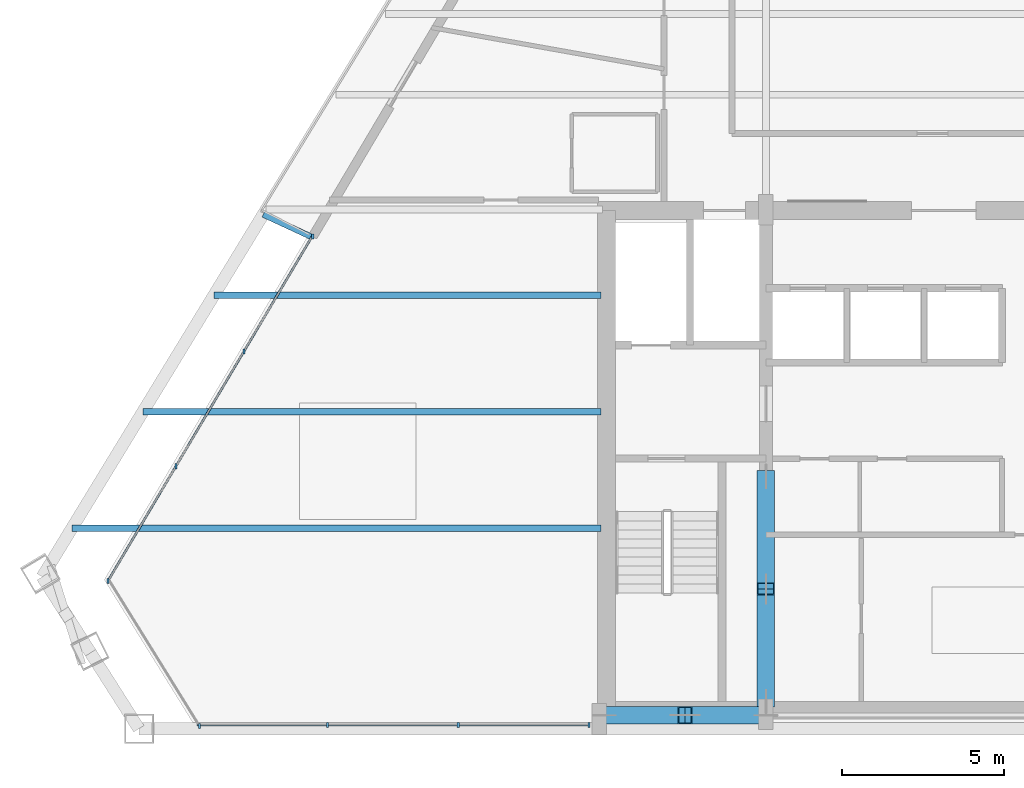
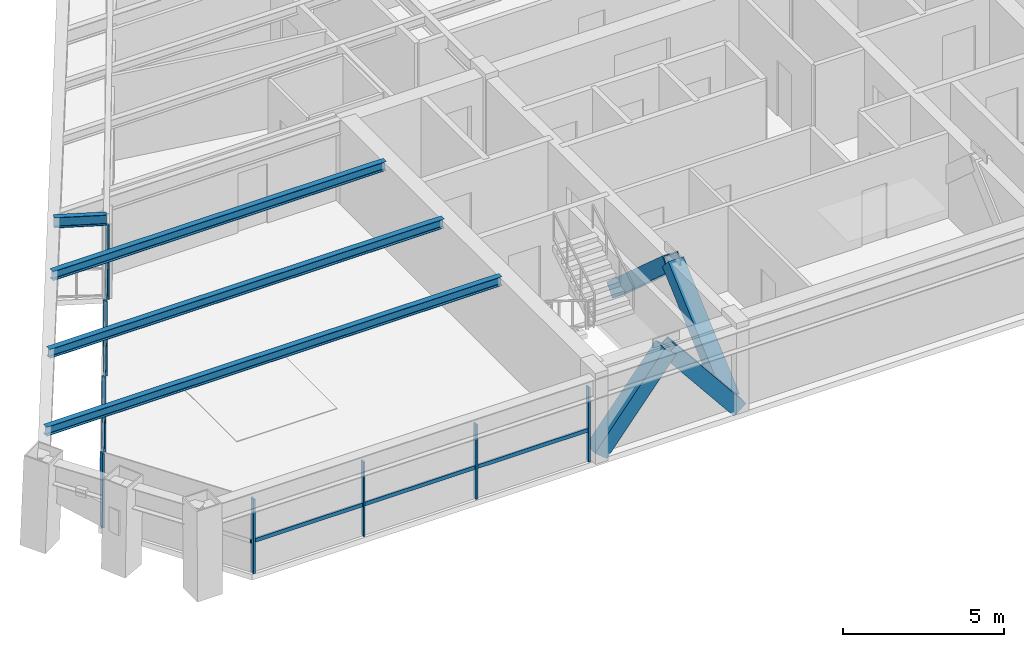
# One storey, part 2 of 12: 18 members, 4 beams, 3 elements without a shape of their own.
"""IFC4 building model written with IfcOpenShell, lengths in metres."""

from ifc_helpers import new_model, si_unit, direction, frame, origin, origin_2d, place, context, subcontext, project, spatial, rectangle, hollow_rectangle, i_section, extrude, source, transform, mapped, material, material_profile, profile_set, type_object, type_shapes, element, aggregate, save


model = new_model("IFC4")

# Units and contexts
model_context = context("Model", 3, precision=1e-05, world=origin(), true_north=direction((0.0, 1.0)))
body_context = subcontext(model_context, "Body", "Model", "MODEL_VIEW")
ifc_project = project(units=[si_unit("LENGTHUNIT", "METRE"), si_unit("AREAUNIT", "SQUARE_METRE"), si_unit("VOLUMEUNIT", "CUBIC_METRE"), si_unit("PLANEANGLEUNIT", "RADIAN"), si_unit("MASSUNIT", "GRAM", prefix="KILO")], contexts=[model_context])

# Site, building, storey
site_placement = place(None, origin())
site = spatial("IfcSite", under=ifc_project, at=site_placement, CompositionType="ELEMENT")
building_placement = place(site_placement, origin())
building = spatial("IfcBuilding", under=site, at=building_placement, Name="Varnakhor Terracotta Tower", CompositionType="ELEMENT")
storey_placement = place(building_placement, frame((0.0, 0.0, 233.800048828125)))
storey = spatial("IfcBuildingStorey", under=building, at=storey_placement, Name="L60", CompositionType="ELEMENT", Elevation=233.800048828125)

# Members
ifc_material_1 = material(Name="Steel S355", Category="steel")
ifc_material_profile_1 = material_profile(ifc_material_1, hollow_rectangle(XDim=0.550048828125, YDim=0.550048828125, WallThickness=0.034912109375, at=origin_2d()), Name="HSS550X550X35")
ifc_profile_set_1 = profile_set([ifc_material_profile_1], Name="Steel S355")
member_type_1 = type_object("IfcMemberType", Name="MBR-MEGA-550", PredefinedType="BRACE", material=ifc_profile_set_1)
shared_shape_1 = source(origin(), body_context, "Body", "SweptSolid", [
    extrude(hollow_rectangle(XDim=0.550048828125, YDim=0.550048828125, WallThickness=0.034912109375, at=origin_2d()), origin(), (0.0, 0.0, 1.0), 4.650146484375),
])
member_1_placement = place(storey_placement, frame((-5.5, 7.800048828125, 0.0), z_axis=(0.0, -0.747316617832, 0.664468112638), x_axis=(1.0, 0.0, 0.0)))
element("IfcMember", 1, at=member_1_placement, inside=storey, type_object=member_type_1, Name="L60 Core Coupled Brace CWWB", PredefinedType="BRACE", context=body_context, shape_type="MappedRepresentation", body=[
    mapped(shared_shape_1, transform((0.0, 0.0, 0.0), scale=1.0)),
])
shared_shape_2 = source(origin(), body_context, "Body", "SweptSolid", [
    extrude(hollow_rectangle(XDim=0.550048828125, YDim=0.550048828125, WallThickness=0.034912109375, at=origin_2d()), origin(), (0.0, 0.0, 1.0), 3.974609375),
])
for number, where, z_axis, x_axis, name in (
    (2, (-10.5, 0.419921875, 0.0), (0.629000299358, 0.0, 0.777405057488), (0.0, 1.0, 0.0), "L60 Core Coupled Brace CSWA"),
    (3, (-5.5, 0.419921875, 0.0), (-0.629000299358, 0.0, 0.777405057488), (0.0, -1.0, 0.0), "L60 Core Coupled Brace CSWB"),
):
    element("IfcMember", number, at=place(storey_placement, frame(where, z_axis=z_axis, x_axis=x_axis)), inside=storey, type_object=member_type_1, Name=name, PredefinedType="BRACE", context=body_context, shape_type="MappedRepresentation", body=[
        mapped(shared_shape_2, transform((0.0, 0.0, 0.0), scale=1.0)),
    ])
shared_shape_3 = source(origin(), body_context, "Body", "SweptSolid", [
    extrude(hollow_rectangle(XDim=0.550048828125, YDim=0.550048828125, WallThickness=0.034912109375, at=origin_2d()), origin(), (0.0, 0.0, 1.0), 4.64990234375),
])
member_2_placement = place(storey_placement, frame((-5.5, 0.85009765625, 0.0), z_axis=(0.0, 0.747293435799, 0.664494184182), x_axis=(-1.0, 0.0, 0.0)))
element("IfcMember", 4, at=member_2_placement, inside=storey, type_object=member_type_1, Name="L60 Core Coupled Brace CWWA", PredefinedType="BRACE", context=body_context, shape_type="MappedRepresentation", body=[
    mapped(shared_shape_3, transform((0.0, 0.0, 0.0), scale=1.0)),
])

# Beams
ifc_material_profile_2 = material_profile(ifc_material_1, i_section(OverallWidth=0.202880859375, OverallDepth=0.346923828125, WebThickness=0.0078125, FlangeThickness=0.013427734375, FilletRadius=0.01806640625, at=origin_2d()), Name="W14X43")
ifc_profile_set_2 = profile_set([ifc_material_profile_2], Name="Steel S355")
beam_type_1 = type_object("IfcBeamType", Name="JST-W14X43", PredefinedType="JOIST", material=ifc_profile_set_2)
shared_shape_4 = source(origin(), body_context, "Body", "SweptSolid", [
    extrude(i_section(OverallWidth=0.202880859375, OverallDepth=0.346923828125, WebThickness=0.0078125, FlangeThickness=0.013427734375, FilletRadius=0.01806640625, at=origin_2d()), origin(), (0.0, 0.0, 1.0), 16.356689453125),
])
beam_1_placement = place(storey_placement, frame((-26.956787109375, 6.199951171875, 3.06640625), z_axis=(1.0, 0.0, 0.0), x_axis=(0.0, 1.0, 0.0)))
element("IfcBeam", 5, at=beam_1_placement, inside=storey, type_object=beam_type_1, Name="L60 Floor Joist W1", PredefinedType="JOIST", context=body_context, shape_type="MappedRepresentation", body=[
    mapped(shared_shape_4, transform((0.0, 0.0, 0.0), scale=1.0)),
])
shared_shape_5 = source(origin(), body_context, "Body", "SweptSolid", [
    extrude(i_section(OverallWidth=0.202880859375, OverallDepth=0.346923828125, WebThickness=0.0078125, FlangeThickness=0.013427734375, FilletRadius=0.01806640625, at=origin_2d()), origin(), (0.0, 0.0, 1.0), 14.161865234375),
])
beam_2_placement = place(storey_placement, frame((-24.761962890625, 9.800048828125, 3.06640625), z_axis=(1.0, 0.0, 0.0), x_axis=(0.0, 1.0, 0.0)))
element("IfcBeam", 6, at=beam_2_placement, inside=storey, type_object=beam_type_1, Name="L60 Floor Joist W2", PredefinedType="JOIST", context=body_context, shape_type="MappedRepresentation", body=[
    mapped(shared_shape_5, transform((0.0, 0.0, 0.0), scale=1.0)),
])
shared_shape_6 = source(origin(), body_context, "Body", "SweptSolid", [
    extrude(i_section(OverallWidth=0.202880859375, OverallDepth=0.346923828125, WebThickness=0.0078125, FlangeThickness=0.013427734375, FilletRadius=0.01806640625, at=origin_2d()), origin(), (0.0, 0.0, 1.0), 11.966796875),
])
beam_3_placement = place(storey_placement, frame((-22.56689453125, 13.39990234375, 3.06640625), z_axis=(1.0, 0.0, 0.0), x_axis=(0.0, 1.0, 0.0)))
element("IfcBeam", 7, at=beam_3_placement, inside=storey, type_object=beam_type_1, Name="L60 Floor Joist W3", PredefinedType="JOIST", context=body_context, shape_type="MappedRepresentation", body=[
    mapped(shared_shape_6, transform((0.0, 0.0, 0.0), scale=1.0)),
])

# Curtain wall, members
ifc_material_2 = material(Name="Anodised Aluminium Curtain Wall System", Category="aluminium")
curtain_wall_type = type_object("IfcCurtainWallType", Name="CW-SYS-HOTEL-LOGGIA", PredefinedType="NOTDEFINED", material=ifc_material_2)
curtain_wall_1_placement = place(storey_placement, origin())
curtain_wall_1 = element("IfcCurtainWall", 8, at=curtain_wall_1_placement, inside=storey, type_object=curtain_wall_type, Name="L60 W Facet Curtain Wall 1", PredefinedType="NOTDEFINED")
ifc_material_3 = material(Name="Anodised Aluminium 6063-T6", Category="aluminium")
ifc_material_profile_3 = material_profile(ifc_material_3, rectangle(XDim=0.06494140625, YDim=0.159912109375, at=origin_2d()), Name="ALU MULLION 65x160")
ifc_profile_set_3 = profile_set([ifc_material_profile_3], Name="Anodised Aluminium 6063-T6")
member_type_2 = type_object("IfcMemberType", Name="CWM-04", PredefinedType="MULLION", material=ifc_profile_set_3)
shared_shape_7 = source(origin(), body_context, "Body", "SweptSolid", [
    extrude(rectangle(XDim=0.06494140625, YDim=0.159912109375, at=origin_2d()), origin(), (0.0, 0.0, 1.0), 2.820068359375),
])
type_shapes(member_type_2, [shared_shape_7])
member_3_placement = place(storey_placement, frame((-25.840087890625, 4.57275390625, 0.0), z_axis=(0.0, 0.0, 1.0), x_axis=(1.0, 0.0, 0.0)))
member_3 = element("IfcMember", 9, at=member_3_placement, type_object=member_type_2, Name="L60 W Facet Curtain Wall 1 Mullion 1", PredefinedType="MULLION", context=body_context, shape_type="MappedRepresentation", body=[
    mapped(shared_shape_7, transform((0.0, 0.0, 0.0), scale=1.0)),
])
member_4_placement = place(storey_placement, frame((-23.740478515625, 8.1162109375, 0.0), z_axis=(0.0, 0.0, 1.0), x_axis=(1.0, 0.0, 0.0)))
member_4 = element("IfcMember", 10, at=member_4_placement, type_object=member_type_2, Name="L60 W Facet Curtain Wall 1 Mullion 2", PredefinedType="MULLION", context=body_context, shape_type="MappedRepresentation", body=[
    mapped(shared_shape_7, transform((0.0, 0.0, 0.0), scale=1.0)),
])
member_5_placement = place(storey_placement, frame((-21.64111328125, 11.65966796875, 0.0), z_axis=(0.0, 0.0, 1.0), x_axis=(1.0, 0.0, 0.0)))
member_5 = element("IfcMember", 11, at=member_5_placement, type_object=member_type_2, Name="L60 W Facet Curtain Wall 1 Mullion 3", PredefinedType="MULLION", context=body_context, shape_type="MappedRepresentation", body=[
    mapped(shared_shape_7, transform((0.0, 0.0, 0.0), scale=1.0)),
])
member_6_placement = place(storey_placement, frame((-19.509033203125, 15.21875, 0.0), z_axis=(0.0, 0.0, 1.0), x_axis=(1.0, 0.0, 0.0)))
member_6 = element("IfcMember", 12, at=member_6_placement, type_object=member_type_2, Name="L60 W Loggia Jamb Closure Mullion 1", PredefinedType="MULLION", context=body_context, shape_type="MappedRepresentation", body=[
    mapped(shared_shape_7, transform((0.0, 0.0, 0.0), scale=1.0)),
])

curtain_wall_2_placement = place(storey_placement, origin())
curtain_wall_2 = element("IfcCurtainWall", 13, at=curtain_wall_2_placement, inside=storey, type_object=curtain_wall_type, Name="L60 South Wing Curtain Wall SSW", PredefinedType="NOTDEFINED")
member_7_placement = place(storey_placement, frame((-10.969970703125, 0.1201171875, 0.0), z_axis=(0.0, 0.0, 1.0), x_axis=(1.0, 0.0, 0.0)))
member_7 = element("IfcMember", 14, at=member_7_placement, type_object=member_type_2, Name="L60 South Wing Curtain Wall SSW Mullion 1", PredefinedType="MULLION", context=body_context, shape_type="MappedRepresentation", body=[
    mapped(shared_shape_7, transform((0.0, 0.0, 0.0), scale=1.0)),
])
member_8_placement = place(storey_placement, frame((-15.010498046875, 0.1201171875, 0.0), z_axis=(0.0, 0.0, 1.0), x_axis=(1.0, 0.0, 0.0)))
member_8 = element("IfcMember", 15, at=member_8_placement, type_object=member_type_2, Name="L60 South Wing Curtain Wall SSW Mullion 2", PredefinedType="MULLION", context=body_context, shape_type="MappedRepresentation", body=[
    mapped(shared_shape_7, transform((0.0, 0.0, 0.0), scale=1.0)),
])
member_9_placement = place(storey_placement, frame((-19.051025390625, 0.1201171875, 0.0), z_axis=(0.0, 0.0, 1.0), x_axis=(1.0, 0.0, 0.0)))
member_9 = element("IfcMember", 16, at=member_9_placement, type_object=member_type_2, Name="L60 South Wing Curtain Wall SSW Mullion 3", PredefinedType="MULLION", context=body_context, shape_type="MappedRepresentation", body=[
    mapped(shared_shape_7, transform((0.0, 0.0, 0.0), scale=1.0)),
])

# Curtain wall, member
curtain_wall_3_placement = place(storey_placement, origin())
curtain_wall_3 = element("IfcCurtainWall", 17, at=curtain_wall_3_placement, inside=storey, type_object=curtain_wall_type, Name="L60 Facet Curtain Wall 6", PredefinedType="NOTDEFINED")
member_10_placement = place(storey_placement, frame((-23.015380859375, 0.088623046875, 0.0), z_axis=(0.0, 0.0, 1.0), x_axis=(1.0, 0.0, 0.0)))
member_10 = element("IfcMember", 18, at=member_10_placement, type_object=member_type_2, Name="L60 Facet Curtain Wall 6 Mullion 1", PredefinedType="MULLION", context=body_context, shape_type="MappedRepresentation", body=[
    mapped(shared_shape_7, transform((0.0, 0.0, 0.0), scale=1.0)),
])
aggregate(curtain_wall_3, [member_10])

# Member
ifc_material_profile_4 = material_profile(ifc_material_3, rectangle(XDim=0.06494140625, YDim=0.14501953125, at=origin_2d()), Name="ALU TRANSOM 65x145")
ifc_profile_set_4 = profile_set([ifc_material_profile_4], Name="Anodised Aluminium 6063-T6")
member_type_3 = type_object("IfcMemberType", Name="CWT-04", PredefinedType="USERDEFINED", material=ifc_profile_set_4)
shared_shape_8 = source(origin(), body_context, "Body", "SweptSolid", [
    extrude(rectangle(XDim=0.06494140625, YDim=0.14501953125, at=origin_2d()), origin(), (0.0, 0.0, 1.0), 4.118896484375),
])
member_11_placement = place(storey_placement, frame((-25.840087890625, 4.57275390625, 1.184326171875), z_axis=(0.509763394774, 0.860314640901, 0.0), x_axis=(-0.860314640901, 0.509763394774, 0.0)))
member_11 = element("IfcMember", 19, at=member_11_placement, type_object=member_type_3, Name="L60 W Facet Curtain Wall 1 Transom 1", ObjectType="TRANSOM", PredefinedType="USERDEFINED", context=body_context, shape_type="MappedRepresentation", body=[
    mapped(shared_shape_8, transform((0.0, 0.0, 0.0), scale=1.0)),
])

member_12_placement = place(storey_placement, frame((-21.64111328125, 11.65966796875, 1.184326171875), z_axis=(0.509763394774, 0.860314640901, 0.0), x_axis=(-0.860314640901, 0.509763394774, 0.0)))
member_12 = element("IfcMember", 20, at=member_12_placement, type_object=member_type_3, Name="L60 W Facet Curtain Wall 1 Transom 3", ObjectType="TRANSOM", PredefinedType="USERDEFINED", context=body_context, shape_type="MappedRepresentation", body=[
    mapped(shared_shape_8, transform((0.0, 0.0, 0.0), scale=1.0)),
])

shared_shape_9 = source(origin(), body_context, "Body", "SweptSolid", [
    extrude(rectangle(XDim=0.06494140625, YDim=0.14501953125, at=origin_2d()), origin(), (0.0, 0.0, 1.0), 4.11865234375),
])
member_13_placement = place(storey_placement, frame((-23.740478515625, 8.1162109375, 1.184326171875), z_axis=(0.509719521049, 0.860340635947, 0.0), x_axis=(-0.860340635947, 0.509719521049, 0.0)))
member_13 = element("IfcMember", 21, at=member_13_placement, type_object=member_type_3, Name="L60 W Facet Curtain Wall 1 Transom 2", ObjectType="TRANSOM", PredefinedType="USERDEFINED", context=body_context, shape_type="MappedRepresentation", body=[
    mapped(shared_shape_9, transform((0.0, 0.0, 0.0), scale=1.0)),
])

aggregate(curtain_wall_1, [member_3, member_11, member_4, member_13, member_5, member_12, member_6])

shared_shape_10 = source(origin(), body_context, "Body", "SweptSolid", [
    extrude(rectangle(XDim=0.06494140625, YDim=0.14501953125, at=origin_2d()), origin(), (0.0, 0.0, 1.0), 4.04052734375),
])
member_14_placement = place(storey_placement, frame((-10.969970703125, 0.1201171875, 1.184326171875), z_axis=(-1.0, 0.0, 0.0), x_axis=(0.0, -1.0, 0.0)))
member_14 = element("IfcMember", 22, at=member_14_placement, type_object=member_type_3, Name="L60 South Wing Curtain Wall SSW Transom 1", ObjectType="TRANSOM", PredefinedType="USERDEFINED", context=body_context, shape_type="MappedRepresentation", body=[
    mapped(shared_shape_10, transform((0.0, 0.0, 0.0), scale=1.0)),
])

member_15_placement = place(storey_placement, frame((-15.010498046875, 0.1201171875, 1.184326171875), z_axis=(-1.0, 0.0, 0.0), x_axis=(0.0, -1.0, 0.0)))
member_15 = element("IfcMember", 23, at=member_15_placement, type_object=member_type_3, Name="L60 South Wing Curtain Wall SSW Transom 2", ObjectType="TRANSOM", PredefinedType="USERDEFINED", context=body_context, shape_type="MappedRepresentation", body=[
    mapped(shared_shape_10, transform((0.0, 0.0, 0.0), scale=1.0)),
])

shared_shape_11 = source(origin(), body_context, "Body", "SweptSolid", [
    extrude(rectangle(XDim=0.06494140625, YDim=0.14501953125, at=origin_2d()), origin(), (0.0, 0.0, 1.0), 4.040771484375),
])
member_16_placement = place(storey_placement, frame((-19.051025390625, 0.1201171875, 1.184326171875), z_axis=(-1.0, 0.0, 0.0), x_axis=(0.0, -1.0, 0.0)))
member_16 = element("IfcMember", 24, at=member_16_placement, type_object=member_type_3, Name="L60 South Wing Curtain Wall SSW Transom 3", ObjectType="TRANSOM", PredefinedType="USERDEFINED", context=body_context, shape_type="MappedRepresentation", body=[
    mapped(shared_shape_11, transform((0.0, 0.0, 0.0), scale=1.0)),
])

aggregate(curtain_wall_2, [member_7, member_14, member_8, member_15, member_9, member_16])

# Beam
ifc_material_profile_5 = material_profile(ifc_material_1, i_section(OverallWidth=0.179931640625, OverallDepth=0.39990234375, WebThickness=0.008544921875, FlangeThickness=0.013427734375, FilletRadius=0.01806640625, at=origin_2d()), Name="IPE400")
ifc_profile_set_5 = profile_set([ifc_material_profile_5], Name="Steel S355")
beam_type_2 = type_object("IfcBeamType", Name="JST-IPE400", PredefinedType="JOIST", material=ifc_profile_set_5)
shared_shape_12 = source(origin(), body_context, "Body", "SweptSolid", [
    extrude(i_section(OverallWidth=0.179931640625, OverallDepth=0.39990234375, WebThickness=0.008544921875, FlangeThickness=0.013427734375, FilletRadius=0.01806640625, at=origin_2d()), origin(), (0.0, 0.0, 1.0), 1.644287109375),
])
beam_4_placement = place(storey_placement, frame((-19.55078125, 15.208740234375, 3.0400390625), z_axis=(-0.906944141047, 0.421250905067, 0.0), x_axis=(-0.421250905067, -0.906944141047, 0.0)))
element("IfcBeam", 25, at=beam_4_placement, inside=storey, type_object=beam_type_2, Name="L61 W Loggia Tie Beam 1", PredefinedType="JOIST", context=body_context, shape_type="MappedRepresentation", body=[
    mapped(shared_shape_12, transform((0.0, 0.0, 0.0), scale=1.0)),
])

save(model, "model.ifc")
